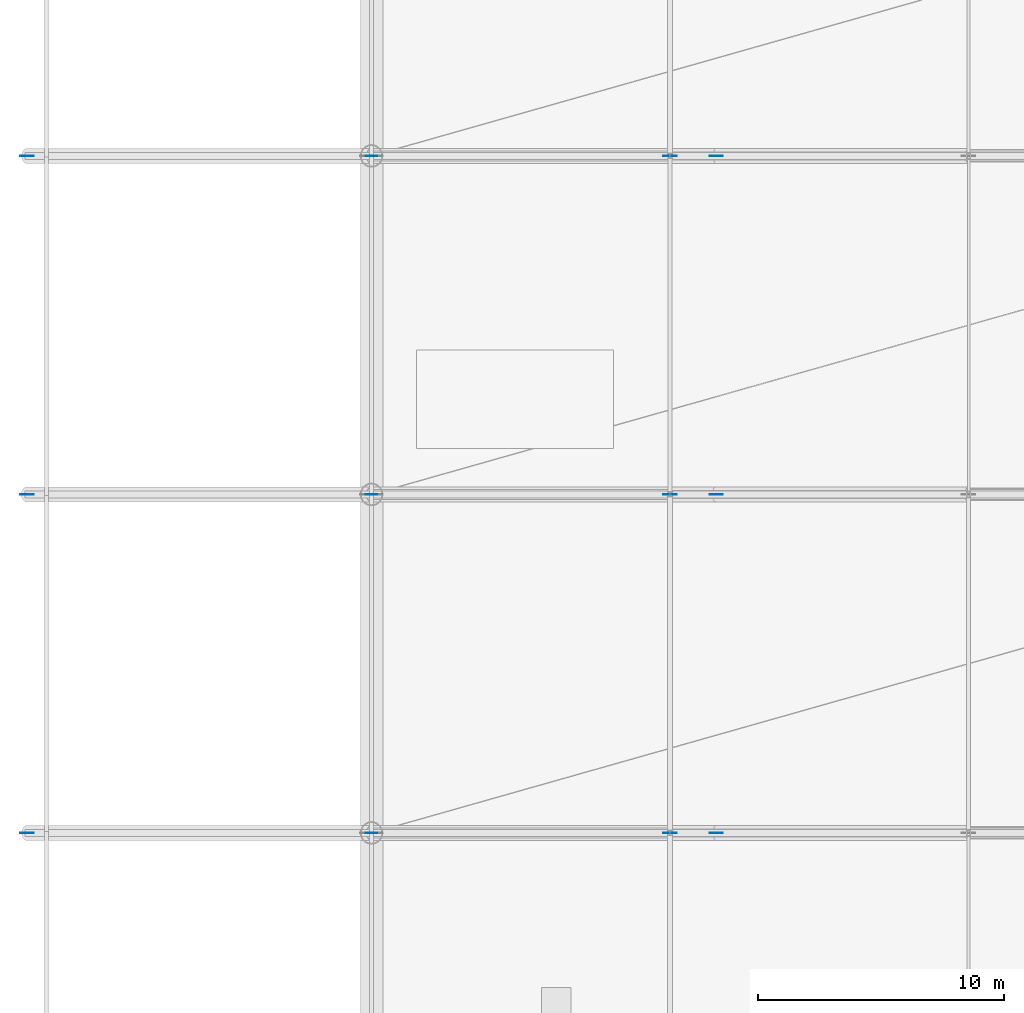
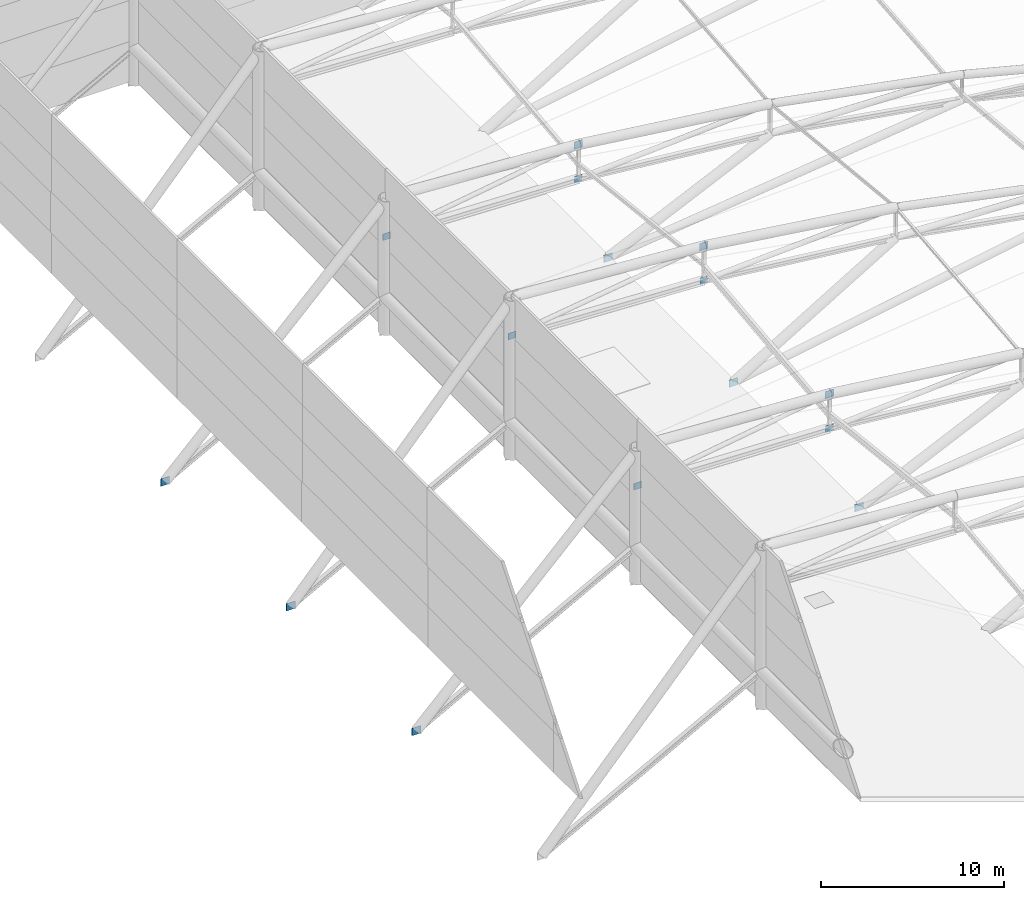
# One storey, part 33 of 36: 15 plates.
"""IFC4 building model written with IfcOpenShell, lengths in metres."""

from ifc_helpers import new_model, si_unit, direction, frame, origin, origin_2d, place, context, subcontext, project, spatial, rectangle, extrude, material, layer, layer_set, type_object, element, save


model = new_model("IFC4")

# Units and contexts
model_context = context("Model", 3, precision=1e-05, world=origin(), true_north=direction((0.0, 1.0)))
body_context = subcontext(model_context, "Body", "Model", "MODEL_VIEW")
ifc_project = project(units=[si_unit("LENGTHUNIT", "METRE"), si_unit("AREAUNIT", "SQUARE_METRE"), si_unit("VOLUMEUNIT", "CUBIC_METRE"), si_unit("PLANEANGLEUNIT", "RADIAN"), si_unit("MASSUNIT", "GRAM", prefix="KILO")], contexts=[model_context])

# Site, building, storey
site_placement = place(None, origin())
site = spatial("IfcSite", under=ifc_project, at=site_placement, CompositionType="ELEMENT")
building_placement = place(site_placement, origin())
building = spatial("IfcBuilding", under=site, at=building_placement, Name="Linyun Crest Stadium", CompositionType="ELEMENT")
storey_placement = place(building_placement, frame((0.0, 0.0, 31.60009765625)))
storey = spatial("IfcBuildingStorey", under=building, at=storey_placement, Name="RF", CompositionType="ELEMENT", Elevation=31.60009765625)

# Plates
ifc_material_1 = material(Name="Steel Q355C", Category="steel")
ifc_layer_1 = layer(ifc_material_1, 0.02392578125)
ifc_layer_set_1 = layer_set([ifc_layer_1], Name="Steel Q355C")
plate_type_1 = type_object("IfcPlateType", Name="NP01", PredefinedType="USERDEFINED", material=ifc_layer_set_1)
for number, where, z_axis, x_axis, name in (
    (1, (-84.0, -11.625, 5.8798828125), (0.0, 0.0, 1.0), (1.0, 0.0, 0.0), "Roof bottom-chord node gusset plate NP01 47"),
    (2, (-71.875, -11.625, 5.47900390625), (0.0, 0.0, 1.0), (1.0, 0.0, 0.0), "Roof bottom-chord node gusset plate NP01 48"),
    (3, (-84.0, 2.125, 7.579833984375), (0.0, 0.0, 1.0), (1.0, 0.0, 0.0), "Roof bottom-chord node gusset plate NP01 60"),
    (4, (-71.875, 2.125, 7.030029296875), (0.0, 0.0, 1.0), (1.0, 0.0, 0.0), "Roof bottom-chord node gusset plate NP01 61"),
    (5, (-84.0, 15.875, 5.8798828125), (0.0, 0.0, 1.0), (1.0, 0.0, 0.0), "Roof bottom-chord node gusset plate NP01 73"),
    (6, (-71.875, 15.875, 5.47900390625), (0.0, 0.0, 1.0), (1.0, 0.0, 0.0), "Roof bottom-chord node gusset plate NP01 74"),
):
    element("IfcPlate", number, at=place(storey_placement, frame(where, z_axis=z_axis, x_axis=x_axis)), inside=storey, type_object=plate_type_1, Name=name, ObjectType="GUSSET PLATE", PredefinedType="USERDEFINED", context=body_context, shape_type="SweptSolid", body=[
        extrude(rectangle(XDim=0.47998046875, YDim=0.02392578125, at=origin_2d()), origin(), (0.0, 0.0, 1.0), 0.43994140625),
    ])
ifc_material_2 = material(Name="Steel Q420C", Category="steel")
ifc_layer_2 = layer(ifc_material_2, 0.028076171875)
ifc_layer_set_2 = layer_set([ifc_layer_2], Name="Steel Q420C")
plate_type_2 = type_object("IfcPlateType", Name="NP02", PredefinedType="USERDEFINED", material=ifc_layer_set_2)
for number, where, z_axis, x_axis, name in (
    (7, (-71.875, -11.625, 7.746826171875), (0.0, 0.0, 1.0), (1.0, 0.0, 0.0), "Roof truss node gusset plate NP02 42"),
    (8, (-70.0, -11.625, -0.47509765625), (0.0, 0.0, 1.0), (1.0, 0.0, 0.0), "Roof V-strut base gusset plate NP02 52"),
    (9, (-71.875, 2.125, 9.2978515625), (0.0, 0.0, 1.0), (1.0, 0.0, 0.0), "Roof truss node gusset plate NP02 55"),
    (10, (-70.0, 2.125, -0.47509765625), (0.0, 0.0, 1.0), (1.0, 0.0, 0.0), "Roof V-strut base gusset plate NP02 65"),
    (11, (-71.875, 15.875, 7.746826171875), (0.0, 0.0, 1.0), (1.0, 0.0, 0.0), "Roof truss node gusset plate NP02 68"),
    (12, (-70.0, 15.875, -0.47509765625), (0.0, 0.0, 1.0), (1.0, 0.0, 0.0), "Roof V-strut base gusset plate NP02 78"),
):
    element("IfcPlate", number, at=place(storey_placement, frame(where, z_axis=z_axis, x_axis=x_axis)), inside=storey, type_object=plate_type_2, Name=name, ObjectType="GUSSET PLATE", PredefinedType="USERDEFINED", context=body_context, shape_type="SweptSolid", body=[
        extrude(rectangle(XDim=0.5400390625, YDim=0.028076171875, at=origin_2d()), origin(), (0.0, 0.0, 1.0), 0.47998046875),
    ])
ifc_material_3 = material(Name="Steel Q420C", Category="steel")
ifc_layer_3 = layer(ifc_material_3, 0.031982421875)
ifc_layer_set_3 = layer_set([ifc_layer_3], Name="Steel Q420C")
plate_type_3 = type_object("IfcPlateType", Name="NP03", PredefinedType="USERDEFINED", material=ifc_layer_set_3)
for number, where, z_axis, x_axis, name in (
    (13, (-98.0, -11.625, -5.6201171875), (0.0, 0.0, 1.0), (1.0, 0.0, 0.0), "Roof back-stay anchor gusset plate NP03 46"),
    (14, (-98.0, 2.125, -5.6201171875), (0.0, 0.0, 1.0), (1.0, 0.0, 0.0), "Roof back-stay anchor gusset plate NP03 59"),
    (15, (-98.0, 15.875, -5.6201171875), (0.0, 0.0, 1.0), (1.0, 0.0, 0.0), "Roof back-stay anchor gusset plate NP03 72"),
):
    element("IfcPlate", number, at=place(storey_placement, frame(where, z_axis=z_axis, x_axis=x_axis)), inside=storey, type_object=plate_type_3, Name=name, ObjectType="GUSSET PLATE", PredefinedType="USERDEFINED", context=body_context, shape_type="SweptSolid", body=[
        extrude(rectangle(XDim=0.56005859375, YDim=0.031982421875, at=origin_2d()), origin(), (0.0, 0.0, 1.0), 0.47998046875),
    ])

save(model, "model.ifc")
